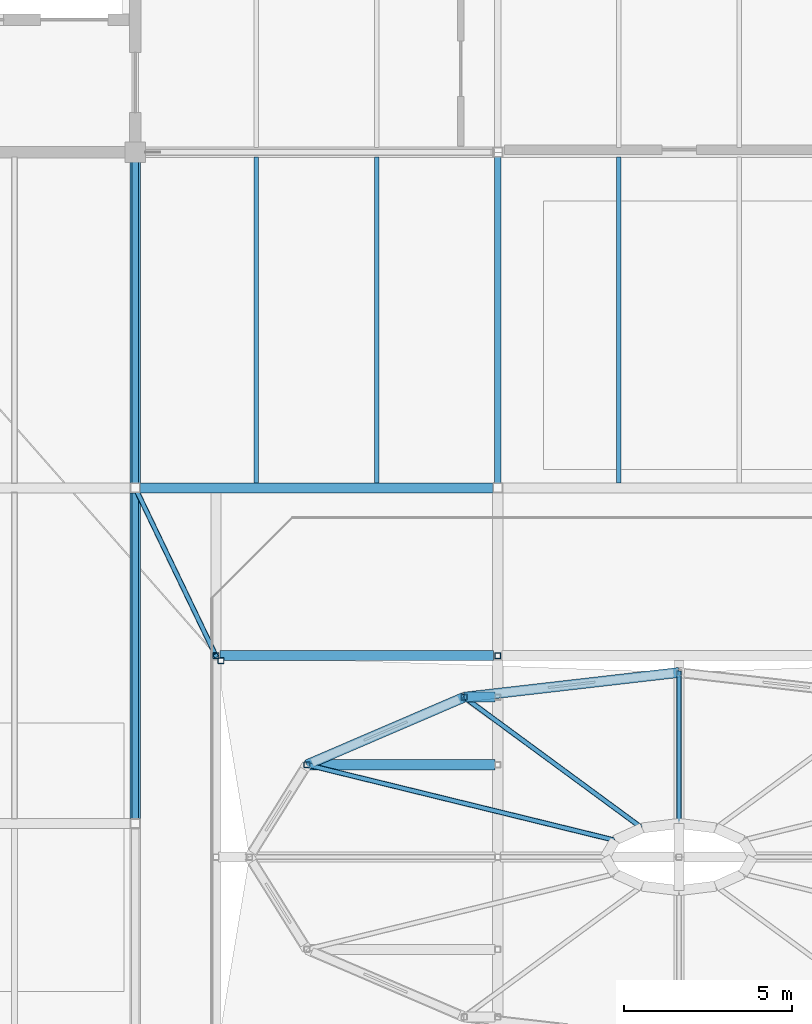
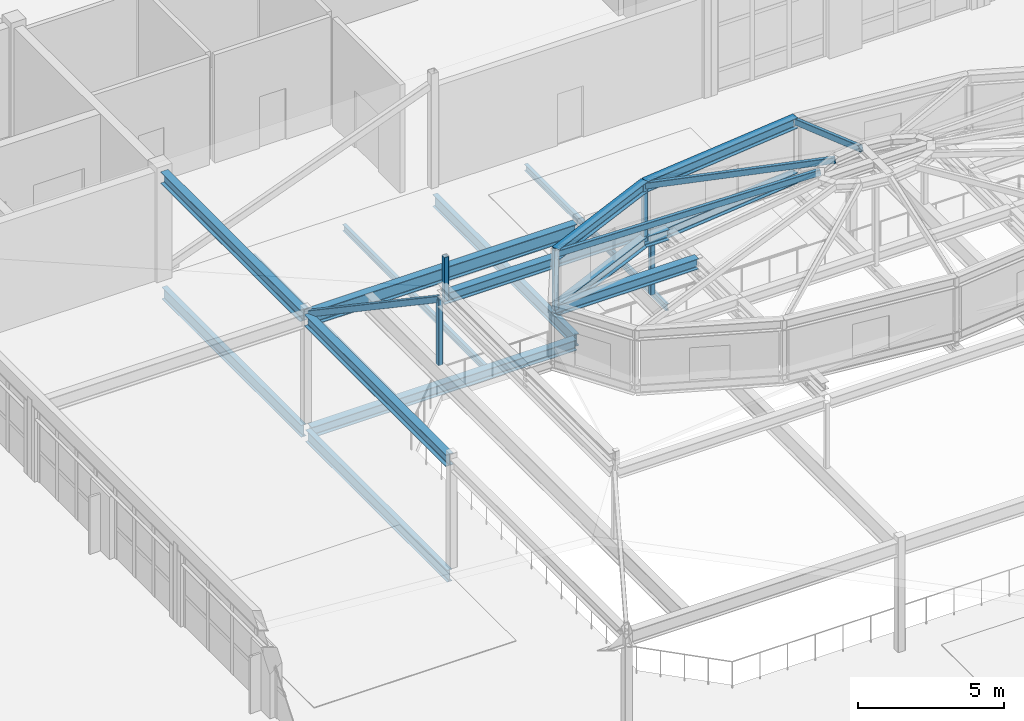
# One storey, part 36 of 86: 17 beams, 9 members.
"""IFC4 building model written with IfcOpenShell, lengths in metres."""

from ifc_helpers import new_model, si_unit, direction, frame, origin, origin_2d, place, context, subcontext, project, spatial, hollow_rectangle, i_section, extrude, material, material_profile, profile_set, type_object, element, save


model = new_model("IFC4")

# Units and contexts
model_context = context("Model", 3, precision=1e-05, world=origin(), true_north=direction((0.0, 1.0)))
body_context = subcontext(model_context, "Body", "Model", "MODEL_VIEW")
ifc_project = project(units=[si_unit("LENGTHUNIT", "METRE"), si_unit("AREAUNIT", "SQUARE_METRE"), si_unit("VOLUMEUNIT", "CUBIC_METRE"), si_unit("PLANEANGLEUNIT", "RADIAN"), si_unit("MASSUNIT", "GRAM", prefix="KILO")], contexts=[model_context])

# Site, building, storey
site_placement = place(None, origin())
site = spatial("IfcSite", under=ifc_project, at=site_placement, CompositionType="ELEMENT")
building_placement = place(site_placement, origin())
building = spatial("IfcBuilding", under=site, at=building_placement, Name="Tasgan Crest Museum", CompositionType="ELEMENT")
storey_placement = place(building_placement, frame((0.0, 0.0, 24.0)))
storey = spatial("IfcBuildingStorey", under=building, at=storey_placement, Name="L04", CompositionType="ELEMENT", Elevation=24.0)

# Beams
ifc_material_1 = material(Name="Steel S355K2", Category="steel")
ifc_material_profile_1 = material_profile(ifc_material_1, i_section(OverallWidth=0.300048828125, OverallDepth=0.43994140625, WebThickness=0.011474609375, FlangeThickness=0.02099609375, FilletRadius=0.027099609375, at=origin_2d()), Name="HEA 450")
ifc_profile_set_1 = profile_set([ifc_material_profile_1], Name="Steel S355K2")
beam_type_1 = type_object("IfcBeamType", Name="BM-DRUM-RING", PredefinedType="BEAM", material=ifc_profile_set_1)
beam_1_placement = place(storey_placement, frame((67.324951171875, 67.0, 7.320068359375), z_axis=(1.0, 0.0, 0.0), x_axis=(0.0, 1.0, 0.0)))
element("IfcBeam", 1, at=beam_1_placement, inside=storey, type_object=beam_type_1, Name="Winter-garden crown ring beam N1", PredefinedType="BEAM", context=body_context, shape_type="SweptSolid", body=[
    extrude(i_section(OverallWidth=0.300048828125, OverallDepth=0.43994140625, WebThickness=0.011474609375, FlangeThickness=0.02099609375, FilletRadius=0.027099609375, at=origin_2d()), origin(), (0.0, 0.0, 1.0), 8.150146484375),
])
for number, where, z_axis, x_axis, name in (
    (2, (81.0, 66.5, 7.919921875), (-0.993437783684, -0.114373816707, 0.0), (0.114373816707, -0.993437783684, 0.0), "Rotunda base ring 4"),
    (3, (81.0, 66.5, 10.219970703125), (-0.993437783684, -0.114373816707, 0.0), (0.114373816707, -0.993437783684, 0.0), "Rotunda eave ring 4"),
):
    element("IfcBeam", number, at=place(storey_placement, frame(where, z_axis=z_axis, x_axis=x_axis)), inside=storey, type_object=beam_type_1, Name=name, PredefinedType="BEAM", context=body_context, shape_type="SweptSolid", body=[
        extrude(i_section(OverallWidth=0.300048828125, OverallDepth=0.43994140625, WebThickness=0.011474609375, FlangeThickness=0.02099609375, FilletRadius=0.027099609375, at=origin_2d()), origin(), (0.0, 0.0, 1.0), 6.442138671875),
    ])
beam_2_placement = place(storey_placement, frame((75.514892578125, 65.76318359375, 7.919921875), z_axis=(-1.0, 0.0, 0.0), x_axis=(0.0, -1.0, 0.0)))
element("IfcBeam", 4, at=beam_2_placement, inside=storey, type_object=beam_type_1, Name="Rotunda radial vertex bearer 5", PredefinedType="BEAM", context=body_context, shape_type="SweptSolid", body=[
    extrude(i_section(OverallWidth=0.300048828125, OverallDepth=0.43994140625, WebThickness=0.011474609375, FlangeThickness=0.02099609375, FilletRadius=0.027099609375, at=origin_2d()), origin(), (0.0, 0.0, 1.0), 0.914794921875),
])
for number, where, z_axis, x_axis, name in (
    (5, (74.60009765625, 65.76318359375, 7.919921875), (-0.918775656521, -0.394780056468, 0.0), (0.394780056468, -0.918775656521, 0.0), "Rotunda base ring 5"),
    (6, (74.60009765625, 65.76318359375, 10.219970703125), (-0.918775656521, -0.394780056468, 0.0), (0.394780056468, -0.918775656521, 0.0), "Rotunda eave ring 5"),
):
    element("IfcBeam", number, at=place(storey_placement, frame(where, z_axis=z_axis, x_axis=x_axis)), inside=storey, type_object=beam_type_1, Name=name, PredefinedType="BEAM", context=body_context, shape_type="SweptSolid", body=[
        extrude(i_section(OverallWidth=0.300048828125, OverallDepth=0.43994140625, WebThickness=0.011474609375, FlangeThickness=0.02099609375, FilletRadius=0.027099609375, at=origin_2d()), origin(), (0.0, 0.0, 1.0), 5.099609375),
    ])
beam_3_placement = place(storey_placement, frame((75.514892578125, 63.75, 7.919921875), z_axis=(-1.0, 0.0, 0.0), x_axis=(0.0, -1.0, 0.0)))
element("IfcBeam", 7, at=beam_3_placement, inside=storey, type_object=beam_type_1, Name="Rotunda radial vertex bearer 6", PredefinedType="BEAM", context=body_context, shape_type="SweptSolid", body=[
    extrude(i_section(OverallWidth=0.300048828125, OverallDepth=0.43994140625, WebThickness=0.011474609375, FlangeThickness=0.02099609375, FilletRadius=0.027099609375, at=origin_2d()), origin(), (0.0, 0.0, 1.0), 5.60009765625),
])
ifc_material_2 = material(Name="Steel S355J2", Category="steel")
ifc_material_profile_2 = material_profile(ifc_material_2, i_section(OverallWidth=0.300048828125, OverallDepth=0.43994140625, WebThickness=0.011474609375, FlangeThickness=0.02099609375, FilletRadius=0.027099609375, at=origin_2d()), Name="HEA 450")
ifc_profile_set_2 = profile_set([ifc_material_profile_2], Name="Steel S355J2")
beam_type_2 = type_object("IfcBeamType", Name="BM-G-HEA450", PredefinedType="BEAM", material=ifc_profile_set_2)
beam_4_placement = place(storey_placement, frame((64.946044921875, 72.0, -0.4599609375), z_axis=(1.0, 0.0, 0.0), x_axis=(0.0, 1.0, 0.0)))
element("IfcBeam", 8, at=beam_4_placement, inside=storey, type_object=beam_type_2, Name="Girder L04 H 64.8-75.6", PredefinedType="BEAM", context=body_context, shape_type="SweptSolid", body=[
    extrude(i_section(OverallWidth=0.300048828125, OverallDepth=0.43994140625, WebThickness=0.011474609375, FlangeThickness=0.02099609375, FilletRadius=0.027099609375, at=origin_2d()), origin(), (0.0, 0.0, 1.0), 10.508056640625),
])
ifc_material_3 = material(Name="Steel S355J2", Category="steel")
ifc_material_profile_3 = material_profile(ifc_material_3, i_section(OverallWidth=0.300048828125, OverallDepth=0.489990234375, WebThickness=0.011962890625, FlangeThickness=0.02294921875, FilletRadius=0.027099609375, at=origin_2d()), Name="HEA 500")
ifc_profile_set_3 = profile_set([ifc_material_profile_3], Name="Steel S355J2")
beam_type_3 = type_object("IfcBeamType", Name="BM-G-HEA500", PredefinedType="BEAM", material=ifc_profile_set_3)
beam_5_placement = place(storey_placement, frame((64.800048828125, 62.14599609375, 4.35498046875), z_axis=(0.0, 1.0, 0.0), x_axis=(-1.0, 0.0, 0.0)))
element("IfcBeam", 9, at=beam_5_placement, inside=storey, type_object=beam_type_3, Name="Winter-garden roof beam 7 62-72", PredefinedType="BEAM", context=body_context, shape_type="SweptSolid", body=[
    extrude(i_section(OverallWidth=0.300048828125, OverallDepth=0.489990234375, WebThickness=0.011962890625, FlangeThickness=0.02294921875, FilletRadius=0.027099609375, at=origin_2d()), origin(), (0.0, 0.0, 1.0), 9.7080078125),
])
beam_6_placement = place(storey_placement, frame((64.800048828125, 72.14599609375, 4.35498046875), z_axis=(0.0, 1.0, 0.0), x_axis=(-1.0, 0.0, 0.0)))
element("IfcBeam", 10, at=beam_6_placement, inside=storey, type_object=beam_type_3, Name="Winter-garden roof beam 7 72-82", PredefinedType="BEAM", context=body_context, shape_type="SweptSolid", body=[
    extrude(i_section(OverallWidth=0.300048828125, OverallDepth=0.489990234375, WebThickness=0.011962890625, FlangeThickness=0.02294921875, FilletRadius=0.027099609375, at=origin_2d()), origin(), (0.0, 0.0, 1.0), 9.55810546875),
])
ifc_material_4 = material(Name="Steel S355J2", Category="steel")
ifc_material_profile_4 = material_profile(ifc_material_4, i_section(OverallWidth=0.300048828125, OverallDepth=0.590087890625, WebThickness=0.012939453125, FlangeThickness=0.02490234375, FilletRadius=0.027099609375, at=origin_2d()), Name="HEA 600")
ifc_profile_set_4 = profile_set([ifc_material_profile_4], Name="Steel S355J2")
beam_type_4 = type_object("IfcBeamType", Name="BM-G-HEA600", PredefinedType="BEAM", material=ifc_profile_set_4)
beam_7_placement = place(storey_placement, frame((64.946044921875, 72.0, 4.304931640625), z_axis=(1.0, 0.0, 0.0), x_axis=(0.0, 1.0, 0.0)))
element("IfcBeam", 11, at=beam_7_placement, inside=storey, type_object=beam_type_4, Name="Winter-garden roof girder H 64.8-75.6", PredefinedType="BEAM", context=body_context, shape_type="SweptSolid", body=[
    extrude(i_section(OverallWidth=0.300048828125, OverallDepth=0.590087890625, WebThickness=0.012939453125, FlangeThickness=0.02490234375, FilletRadius=0.027099609375, at=origin_2d()), origin(), (0.0, 0.0, 1.0), 10.508056640625),
])
ifc_material_5 = material(Name="Steel S355J2", Category="steel")
ifc_material_profile_5 = material_profile(ifc_material_5, i_section(OverallWidth=0.199951171875, OverallDepth=0.5, WebThickness=0.01025390625, FlangeThickness=0.01611328125, FilletRadius=0.02099609375, at=origin_2d()), Name="IPE 500")
ifc_profile_set_5 = profile_set([ifc_material_profile_5], Name="Steel S355J2")
beam_type_5 = type_object("IfcBeamType", Name="BM-G-IPE500", PredefinedType="BEAM", material=ifc_profile_set_5)
beam_8_placement = place(storey_placement, frame((64.800048828125, 62.14501953125, -0.489990234375), z_axis=(0.0, 1.0, 0.0), x_axis=(-1.0, 0.0, 0.0)))
element("IfcBeam", 12, at=beam_8_placement, inside=storey, type_object=beam_type_5, Name="Beam L04 7 62.0-72.0", PredefinedType="BEAM", context=body_context, shape_type="SweptSolid", body=[
    extrude(i_section(OverallWidth=0.199951171875, OverallDepth=0.5, WebThickness=0.01025390625, FlangeThickness=0.01611328125, FilletRadius=0.02099609375, at=origin_2d()), origin(), (0.0, 0.0, 1.0), 9.7099609375),
])
beam_9_placement = place(storey_placement, frame((64.800048828125, 72.14501953125, -0.489990234375), z_axis=(0.0, 1.0, 0.0), x_axis=(-1.0, 0.0, 0.0)))
element("IfcBeam", 13, at=beam_9_placement, inside=storey, type_object=beam_type_5, Name="Beam L04 7 72.0-82.0", PredefinedType="BEAM", context=body_context, shape_type="SweptSolid", body=[
    extrude(i_section(OverallWidth=0.199951171875, OverallDepth=0.5, WebThickness=0.01025390625, FlangeThickness=0.01611328125, FilletRadius=0.02099609375, at=origin_2d()), origin(), (0.0, 0.0, 1.0), 9.56005859375),
])
beam_10_placement = place(storey_placement, frame((75.60009765625, 72.14501953125, -0.489990234375), z_axis=(0.0, 1.0, 0.0), x_axis=(-1.0, 0.0, 0.0)))
element("IfcBeam", 14, at=beam_10_placement, inside=storey, type_object=beam_type_5, Name="Beam L04 8 72.0-82.0", PredefinedType="BEAM", context=body_context, shape_type="SweptSolid", body=[
    extrude(i_section(OverallWidth=0.199951171875, OverallDepth=0.5, WebThickness=0.01025390625, FlangeThickness=0.01611328125, FilletRadius=0.02099609375, at=origin_2d()), origin(), (0.0, 0.0, 1.0), 9.7099609375),
])
ifc_material_6 = material(Name="Steel S355J2", Category="steel")
ifc_material_profile_6 = material_profile(ifc_material_6, i_section(OverallWidth=0.135009765625, OverallDepth=0.27001953125, WebThickness=0.006591796875, FlangeThickness=0.01025390625, FilletRadius=0.014892578125, at=origin_2d()), Name="IPE 270")
ifc_profile_set_6 = profile_set([ifc_material_profile_6], Name="Steel S355J2")
beam_type_6 = type_object("IfcBeamType", Name="BM-J-IPE270", PredefinedType="JOIST", material=ifc_profile_set_6)
for number, where, z_axis, x_axis, name in (
    (15, (68.39990234375, 72.14501953125, -0.375), (0.0, 1.0, 0.0), (-1.0, 0.0, 0.0), "Secondary joist L04 X=68.4 Y=72.0-82.0"),
    (16, (72.0, 72.14501953125, -0.375), (0.0, 1.0, 0.0), (-1.0, 0.0, 0.0), "Secondary joist L04 X=72.0 Y=72.0-82.0"),
    (17, (79.199951171875, 72.14501953125, -0.375), (0.0, 1.0, 0.0), (-1.0, 0.0, 0.0), "Secondary joist L04 X=79.2 Y=72.0-82.0"),
):
    element("IfcBeam", number, at=place(storey_placement, frame(where, z_axis=z_axis, x_axis=x_axis)), inside=storey, type_object=beam_type_6, Name=name, PredefinedType="JOIST", context=body_context, shape_type="SweptSolid", body=[
        extrude(i_section(OverallWidth=0.135009765625, OverallDepth=0.27001953125, WebThickness=0.006591796875, FlangeThickness=0.01025390625, FilletRadius=0.014892578125, at=origin_2d()), origin(), (0.0, 0.0, 1.0), 9.7099609375),
    ])

# Members
ifc_material_7 = material(Name="Steel S355K2", Category="steel")
ifc_material_profile_7 = material_profile(ifc_material_7, hollow_rectangle(XDim=0.14990234375, YDim=0.25, WallThickness=0.010009765625, InnerFilletRadius=0.010009765625, OuterFilletRadius=0.02001953125, at=origin_2d()), Name="RHS 250x150x10")
ifc_profile_set_7 = profile_set([ifc_material_profile_7], Name="Steel S355K2")
member_type_1 = type_object("IfcMemberType", Name="MEM-DRUM-RIB", PredefinedType="RAFTER", material=ifc_profile_set_7)
member_1_placement = place(storey_placement, frame((81.0, 66.5, 10.219970703125), z_axis=(0.0, -0.943525888678, 0.331298803794), x_axis=(1.0, 0.0, 0.0)))
element("IfcMember", 18, at=member_1_placement, inside=storey, type_object=member_type_1, Name="Rotunda radial rafter 4", PredefinedType="RAFTER", context=body_context, shape_type="SweptSolid", body=[
    extrude(hollow_rectangle(XDim=0.14990234375, YDim=0.25, WallThickness=0.010009765625, InnerFilletRadius=0.010009765625, OuterFilletRadius=0.02001953125, at=origin_2d()), origin(), (0.0, 0.0, 1.0), 4.769287109375),
])
member_2_placement = place(storey_placement, frame((74.60009765625, 65.76318359375, 10.219970703125), z_axis=(0.783349855236, -0.576037117152, 0.233547091537), x_axis=(0.592420206422, 0.805629132432, 0.0)))
element("IfcMember", 19, at=member_2_placement, inside=storey, type_object=member_type_1, Name="Rotunda radial rafter 5", PredefinedType="RAFTER", context=body_context, shape_type="SweptSolid", body=[
    extrude(hollow_rectangle(XDim=0.14990234375, YDim=0.25, WallThickness=0.010009765625, InnerFilletRadius=0.010009765625, OuterFilletRadius=0.02001953125, at=origin_2d()), origin(), (0.0, 0.0, 1.0), 6.765625),
])
member_3_placement = place(storey_placement, frame((69.914794921875, 63.75, 10.219970703125), z_axis=(0.95795799205, -0.234795373919, 0.164886681858), x_axis=(0.238053730189, 0.971251986635, 0.0)))
element("IfcMember", 20, at=member_3_placement, inside=storey, type_object=member_type_1, Name="Rotunda radial rafter 6", PredefinedType="RAFTER", context=body_context, shape_type="SweptSolid", body=[
    extrude(hollow_rectangle(XDim=0.14990234375, YDim=0.25, WallThickness=0.010009765625, InnerFilletRadius=0.010009765625, OuterFilletRadius=0.02001953125, at=origin_2d()), origin(), (0.0, 0.0, 1.0), 9.582763671875),
])
member_4_placement = place(storey_placement, frame((64.800048828125, 72.0, 4.5), z_axis=(0.385717184692, -0.80361016709, 0.453247121097), x_axis=(0.901529926538, 0.432716756732, 0.0)))
element("IfcMember", 21, at=member_4_placement, inside=storey, type_object=member_type_1, Name="Winter-garden lantern rib NW", PredefinedType="RAFTER", context=body_context, shape_type="SweptSolid", body=[
    extrude(hollow_rectangle(XDim=0.14990234375, YDim=0.25, WallThickness=0.010009765625, InnerFilletRadius=0.010009765625, OuterFilletRadius=0.02001953125, at=origin_2d()), origin(), (0.0, 0.0, 1.0), 6.221923828125),
])
ifc_material_8 = material(Name="Steel S355K2", Category="steel")
ifc_material_profile_8 = material_profile(ifc_material_8, hollow_rectangle(XDim=0.179931640625, YDim=0.179931640625, WallThickness=0.010009765625, InnerFilletRadius=0.010009765625, OuterFilletRadius=0.02001953125, at=origin_2d()), Name="SHS 180x180x10")
ifc_profile_set_8 = profile_set([ifc_material_profile_8], Name="Steel S355K2")
member_type_2 = type_object("IfcMemberType", Name="TR-SAW-POST", PredefinedType="POST", material=ifc_profile_set_8)
for number, where, z_axis, x_axis, name in (
    (22, (67.199951171875, 67.0, 4.580078125), (0.0, 0.0, 1.0), (1.0, 0.0, 0.0), "Winter-garden lantern post X=67.2 N"),
    (23, (75.60009765625, 67.0, 4.580078125), (0.0, 0.0, 1.0), (1.0, 0.0, 0.0), "Winter-garden lantern post X=75.6 N"),
):
    element("IfcMember", number, at=place(storey_placement, frame(where, z_axis=z_axis, x_axis=x_axis)), inside=storey, type_object=member_type_2, Name=name, PredefinedType="POST", context=body_context, shape_type="SweptSolid", body=[
        extrude(hollow_rectangle(XDim=0.179931640625, YDim=0.179931640625, WallThickness=0.010009765625, InnerFilletRadius=0.010009765625, OuterFilletRadius=0.02001953125, at=origin_2d()), origin(), (0.0, 0.0, 1.0), 2.739990234375),
    ])
member_5_placement = place(storey_placement, frame((67.35009765625, 66.85009765625, 7.320068359375), z_axis=(0.0, 0.0, 1.0), x_axis=(1.0, 0.0, 0.0)))
element("IfcMember", 24, at=member_5_placement, inside=storey, type_object=member_type_2, Name="Lantern oculus post NW", PredefinedType="POST", context=body_context, shape_type="SweptSolid", body=[
    extrude(hollow_rectangle(XDim=0.179931640625, YDim=0.179931640625, WallThickness=0.010009765625, InnerFilletRadius=0.010009765625, OuterFilletRadius=0.02001953125, at=origin_2d()), origin(), (0.0, 0.0, 1.0), 1.829833984375),
])
for number, where, z_axis, x_axis, name in (
    (25, (74.60009765625, 65.76318359375, 7.919921875), (0.0, 0.0, 1.0), (1.0, 0.0, 0.0), "Rotunda drum post 5"),
    (26, (69.914794921875, 63.75, 7.919921875), (0.0, 0.0, 1.0), (1.0, 0.0, 0.0), "Rotunda drum post 6"),
):
    element("IfcMember", number, at=place(storey_placement, frame(where, z_axis=z_axis, x_axis=x_axis)), inside=storey, type_object=member_type_2, Name=name, PredefinedType="POST", context=body_context, shape_type="SweptSolid", body=[
        extrude(hollow_rectangle(XDim=0.179931640625, YDim=0.179931640625, WallThickness=0.010009765625, InnerFilletRadius=0.010009765625, OuterFilletRadius=0.02001953125, at=origin_2d()), origin(), (0.0, 0.0, 1.0), 2.47998046875),
    ])

save(model, "model.ifc")
